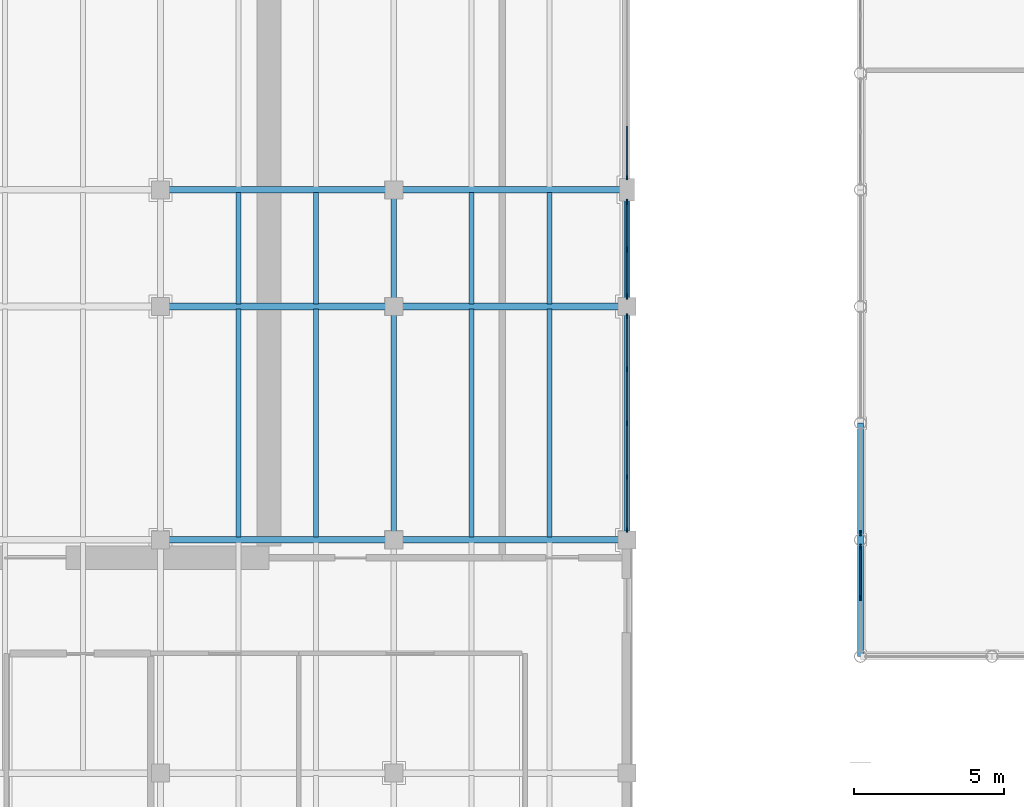
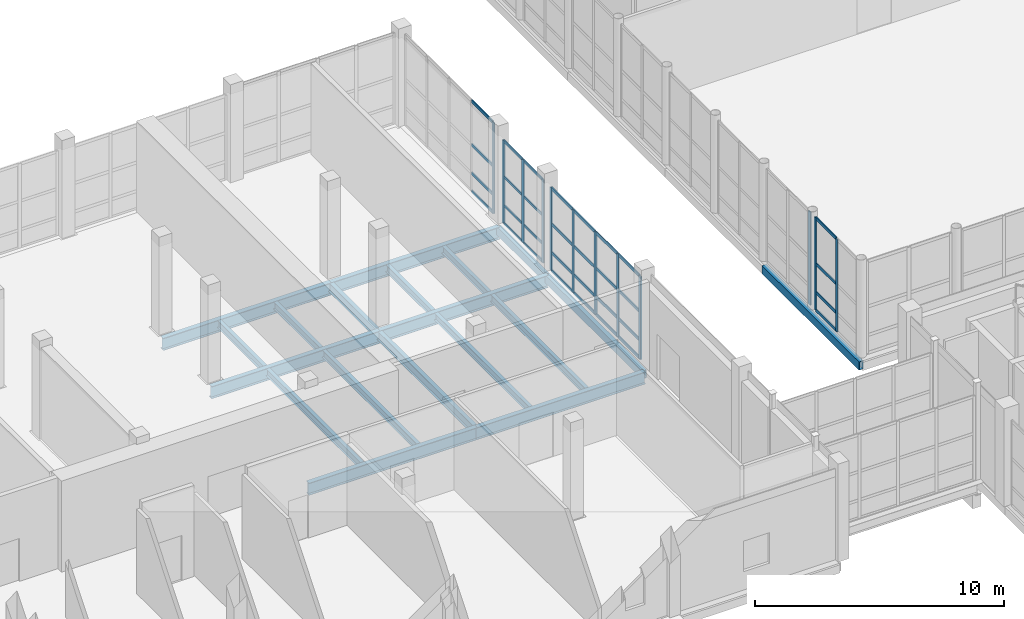
# One storey, part 34 of 131: 44 members, 19 beams, 5 elements without a shape of their own.
"""IFC4 building model written with IfcOpenShell, lengths in metres."""

from ifc_helpers import new_model, si_unit, direction, frame, origin, origin_2d, place, context, subcontext, project, spatial, rectangle, hollow_rectangle, i_section, extrude, material, layer, layer_set, material_profile, profile_set, type_object, element, aggregate, save


model = new_model("IFC4")

# Units and contexts
model_context = context("Model", 3, precision=1e-05, world=origin(), true_north=direction((0.0, 1.0)))
body_context = subcontext(model_context, "Body", "Model", "MODEL_VIEW")
ifc_project = project(units=[si_unit("LENGTHUNIT", "METRE"), si_unit("AREAUNIT", "SQUARE_METRE"), si_unit("VOLUMEUNIT", "CUBIC_METRE"), si_unit("PLANEANGLEUNIT", "RADIAN"), si_unit("MASSUNIT", "GRAM", prefix="KILO")], contexts=[model_context])

# Site, building, storey
site_placement = place(None, origin())
site = spatial("IfcSite", under=ifc_project, at=site_placement, CompositionType="ELEMENT")
building_placement = place(site_placement, origin())
building = spatial("IfcBuilding", under=site, at=building_placement, Name="Celorna Specialist Clinic", CompositionType="ELEMENT")
storey_placement = place(building_placement, origin())
storey = spatial("IfcBuildingStorey", under=building, at=storey_placement, Name="L00", CompositionType="ELEMENT", Elevation=0.0)

# Beams
ifc_material_1 = material(Name="Steel S355", Category="steel")
ifc_material_profile_1 = material_profile(ifc_material_1, i_section(OverallWidth=0.219970703125, OverallDepth=0.60009765625, WebThickness=0.011962890625, FlangeThickness=0.01904296875, at=origin_2d()), Name="IPE 600")
ifc_profile_set_1 = profile_set([ifc_material_profile_1], Name="Steel S355")
beam_type_1 = type_object("IfcBeamType", Name="BM-06", PredefinedType="BEAM", material=ifc_profile_set_1)
for number, where, z_axis, x_axis, name in (
    (1, (31.199951171875, 50.699951171875, -0.679931640625), (1.0, 0.0, 0.0), (0.0, 1.0, 0.0), "Primary girder BM-06 #246"),
    (2, (39.0, 50.699951171875, -0.679931640625), (1.0, 0.0, 0.0), (0.0, 1.0, 0.0), "Primary girder BM-06 #247"),
    (3, (31.199951171875, 58.5, -0.679931640625), (1.0, 0.0, 0.0), (0.0, 1.0, 0.0), "Primary girder BM-06 #252"),
    (4, (39.0, 58.5, -0.679931640625), (1.0, 0.0, 0.0), (0.0, 1.0, 0.0), "Primary girder BM-06 #253"),
    (5, (31.199951171875, 62.39990234375, -0.679931640625), (1.0, 0.0, 0.0), (0.0, 1.0, 0.0), "Primary girder BM-06 #258"),
    (6, (39.0, 62.39990234375, -0.679931640625), (1.0, 0.0, 0.0), (0.0, 1.0, 0.0), "Primary girder BM-06 #259"),
):
    element("IfcBeam", number, at=place(storey_placement, frame(where, z_axis=z_axis, x_axis=x_axis)), inside=storey, type_object=beam_type_1, Name=name, PredefinedType="BEAM", context=body_context, shape_type="SweptSolid", body=[
        extrude(i_section(OverallWidth=0.219970703125, OverallDepth=0.60009765625, WebThickness=0.011962890625, FlangeThickness=0.01904296875, at=origin_2d()), origin(), (0.0, 0.0, 1.0), 7.800048828125),
    ])
ifc_material_profile_2 = material_profile(ifc_material_1, i_section(OverallWidth=0.18994140625, OverallDepth=0.449951171875, WebThickness=0.009521484375, FlangeThickness=0.0146484375, at=origin_2d()), Name="IPE 450")
ifc_profile_set_2 = profile_set([ifc_material_profile_2], Name="Steel S355")
beam_type_2 = type_object("IfcBeamType", Name="BM-09", PredefinedType="BEAM", material=ifc_profile_set_2)
beam_1_placement = place(storey_placement, frame((39.0, 50.699951171875, -0.60498046875), z_axis=(0.0, 1.0, 0.0), x_axis=(-1.0, 0.0, 0.0)))
element("IfcBeam", 7, at=beam_1_placement, inside=storey, type_object=beam_type_2, Name="Transverse girder BM-09 #293", PredefinedType="BEAM", context=body_context, shape_type="SweptSolid", body=[
    extrude(i_section(OverallWidth=0.18994140625, OverallDepth=0.449951171875, WebThickness=0.009521484375, FlangeThickness=0.0146484375, at=origin_2d()), origin(), (0.0, 0.0, 1.0), 7.800048828125),
])
beam_2_placement = place(storey_placement, frame((39.0, 58.5, -0.60498046875), z_axis=(0.0, 1.0, 0.0), x_axis=(-1.0, 0.0, 0.0)))
element("IfcBeam", 8, at=beam_2_placement, inside=storey, type_object=beam_type_2, Name="Transverse girder BM-09 #294", PredefinedType="BEAM", context=body_context, shape_type="SweptSolid", body=[
    extrude(i_section(OverallWidth=0.18994140625, OverallDepth=0.449951171875, WebThickness=0.009521484375, FlangeThickness=0.0146484375, at=origin_2d()), origin(), (0.0, 0.0, 1.0), 3.89990234375),
])
ifc_material_profile_3 = material_profile(ifc_material_1, i_section(OverallWidth=0.169921875, OverallDepth=0.360107421875, WebThickness=0.008056640625, FlangeThickness=0.0126953125, at=origin_2d()), Name="IPE 360")
ifc_profile_set_3 = profile_set([ifc_material_profile_3], Name="Steel S355")
beam_type_3 = type_object("IfcBeamType", Name="BM-11", PredefinedType="JOIST", material=ifc_profile_set_3)
for number, where, z_axis, x_axis, name in (
    (9, (33.800048828125, 50.7880859375, -0.56005859375), (0.0, 1.0, 0.0), (-1.0, 0.0, 0.0), "Secondary floor joist BM-11 #341"),
    (10, (36.39990234375, 50.7880859375, -0.56005859375), (0.0, 1.0, 0.0), (-1.0, 0.0, 0.0), "Secondary floor joist BM-11 #342"),
):
    element("IfcBeam", number, at=place(storey_placement, frame(where, z_axis=z_axis, x_axis=x_axis)), inside=storey, type_object=beam_type_3, Name=name, PredefinedType="JOIST", context=body_context, shape_type="SweptSolid", body=[
        extrude(i_section(OverallWidth=0.169921875, OverallDepth=0.360107421875, WebThickness=0.008056640625, FlangeThickness=0.0126953125, at=origin_2d()), origin(), (0.0, 0.0, 1.0), 7.6240234375),
    ])
for number, where, z_axis, x_axis, name in (
    (11, (33.800048828125, 58.587890625, -0.56005859375), (0.0, 1.0, 0.0), (-1.0, 0.0, 0.0), "Secondary floor joist BM-11 #343"),
    (12, (36.39990234375, 58.587890625, -0.56005859375), (0.0, 1.0, 0.0), (-1.0, 0.0, 0.0), "Secondary floor joist BM-11 #344"),
):
    element("IfcBeam", number, at=place(storey_placement, frame(where, z_axis=z_axis, x_axis=x_axis)), inside=storey, type_object=beam_type_3, Name=name, PredefinedType="JOIST", context=body_context, shape_type="SweptSolid", body=[
        extrude(i_section(OverallWidth=0.169921875, OverallDepth=0.360107421875, WebThickness=0.008056640625, FlangeThickness=0.0126953125, at=origin_2d()), origin(), (0.0, 0.0, 1.0), 3.72412109375),
    ])
for number, where, z_axis, x_axis, name in (
    (13, (41.60009765625, 50.7880859375, -0.56005859375), (0.0, 1.0, 0.0), (-1.0, 0.0, 0.0), "Secondary floor joist BM-11 #351"),
    (14, (44.199951171875, 50.7880859375, -0.56005859375), (0.0, 1.0, 0.0), (-1.0, 0.0, 0.0), "Secondary floor joist BM-11 #352"),
):
    element("IfcBeam", number, at=place(storey_placement, frame(where, z_axis=z_axis, x_axis=x_axis)), inside=storey, type_object=beam_type_3, Name=name, PredefinedType="JOIST", context=body_context, shape_type="SweptSolid", body=[
        extrude(i_section(OverallWidth=0.169921875, OverallDepth=0.360107421875, WebThickness=0.008056640625, FlangeThickness=0.0126953125, at=origin_2d()), origin(), (0.0, 0.0, 1.0), 7.6240234375),
    ])
for number, where, z_axis, x_axis, name in (
    (15, (41.60009765625, 58.587890625, -0.56005859375), (0.0, 1.0, 0.0), (-1.0, 0.0, 0.0), "Secondary floor joist BM-11 #353"),
    (16, (44.199951171875, 58.587890625, -0.56005859375), (0.0, 1.0, 0.0), (-1.0, 0.0, 0.0), "Secondary floor joist BM-11 #354"),
):
    element("IfcBeam", number, at=place(storey_placement, frame(where, z_axis=z_axis, x_axis=x_axis)), inside=storey, type_object=beam_type_3, Name=name, PredefinedType="JOIST", context=body_context, shape_type="SweptSolid", body=[
        extrude(i_section(OverallWidth=0.169921875, OverallDepth=0.360107421875, WebThickness=0.008056640625, FlangeThickness=0.0126953125, at=origin_2d()), origin(), (0.0, 0.0, 1.0), 3.72412109375),
    ])
ifc_material_profile_4 = material_profile(ifc_material_1, hollow_rectangle(XDim=0.199951171875, YDim=0.39990234375, WallThickness=0.011962890625, at=origin_2d()), Name="RHS 200x400x12")
ifc_profile_set_4 = profile_set([ifc_material_profile_4], Name="Steel S355")
beam_type_4 = type_object("IfcBeamType", Name="BM-15", PredefinedType="SPANDREL", material=ifc_profile_set_4)
for number, where, z_axis, x_axis, name in (
    (17, (54.60009765625, 46.800048828125, -0.5), (0.0, 1.0, 0.0), (-1.0, 0.0, 0.0), "Spandrel beam BM-15 #161"),
    (18, (46.800048828125, 50.699951171875, -0.580078125), (0.0, 1.0, 0.0), (-1.0, 0.0, 0.0), "Spandrel beam BM-15 #298"),
):
    element("IfcBeam", number, at=place(storey_placement, frame(where, z_axis=z_axis, x_axis=x_axis)), inside=storey, type_object=beam_type_4, Name=name, PredefinedType="SPANDREL", context=body_context, shape_type="SweptSolid", body=[
        extrude(hollow_rectangle(XDim=0.199951171875, YDim=0.39990234375, WallThickness=0.011962890625, at=origin_2d()), origin(), (0.0, 0.0, 1.0), 7.800048828125),
    ])
beam_3_placement = place(storey_placement, frame((46.800048828125, 58.5, -0.580078125), z_axis=(0.0, 1.0, 0.0), x_axis=(-1.0, 0.0, 0.0)))
element("IfcBeam", 19, at=beam_3_placement, inside=storey, type_object=beam_type_4, Name="Spandrel beam BM-15 #299", PredefinedType="SPANDREL", context=body_context, shape_type="SweptSolid", body=[
    extrude(hollow_rectangle(XDim=0.199951171875, YDim=0.39990234375, WallThickness=0.011962890625, at=origin_2d()), origin(), (0.0, 0.0, 1.0), 3.89990234375),
])

# Curtain wall, members
ifc_material_2 = material(Name="Thermally broken aluminium and solar-control glass curtain wall", Category="aluminium")
ifc_layer_1 = layer(ifc_material_2, 0.159912109375, Name="Thermally broken aluminium and solar-control glass curtain wall")
ifc_layer_set_1 = layer_set([ifc_layer_1], Name="Thermally broken aluminium and solar-control glass curtain wall")
curtain_wall_type_1 = type_object("IfcCurtainWallType", Name="CW-19", PredefinedType="NOTDEFINED", material=ifc_layer_set_1)
curtain_wall_1_placement = place(storey_placement, origin())
curtain_wall_1 = element("IfcCurtainWall", 20, at=curtain_wall_1_placement, inside=storey, type_object=curtain_wall_type_1, Name="Curtain wall CW-19 #47", PredefinedType="NOTDEFINED")
ifc_material_3 = material(Name="Anodized aluminium mullion", Category="aluminium")
ifc_material_profile_5 = material_profile(ifc_material_3, rectangle(XDim=0.050048828125, YDim=0.159912109375, at=origin_2d()), Name="ALU MULLION 50x160")
ifc_profile_set_5 = profile_set([ifc_material_profile_5], Name="Anodized aluminium mullion")
member_type_1 = type_object("IfcMemberType", Name="ML-01", PredefinedType="MULLION", material=ifc_profile_set_5)
member_1_placement = place(storey_placement, frame((46.800048828125, 58.1708984375, 0.0), z_axis=(0.0, 0.0, 1.0), x_axis=(1.0, 0.0, 0.0)))
member_1 = element("IfcMember", 21, at=member_1_placement, type_object=member_type_1, Name="CW-19 mullion 1", PredefinedType="MULLION", context=body_context, shape_type="SweptSolid", body=[
    extrude(rectangle(XDim=0.050048828125, YDim=0.159912109375, at=origin_2d()), origin(), (0.0, 0.0, 1.0), 4.06005859375),
])
member_2_placement = place(storey_placement, frame((46.800048828125, 56.39794921875, 0.0), z_axis=(0.0, 0.0, 1.0), x_axis=(1.0, 0.0, 0.0)))
member_2 = element("IfcMember", 22, at=member_2_placement, type_object=member_type_1, Name="CW-19 mullion 2", PredefinedType="MULLION", context=body_context, shape_type="SweptSolid", body=[
    extrude(rectangle(XDim=0.050048828125, YDim=0.159912109375, at=origin_2d()), origin(), (0.0, 0.0, 1.0), 4.06005859375),
])
member_3_placement = place(storey_placement, frame((46.800048828125, 54.60009765625, 0.0), z_axis=(0.0, 0.0, 1.0), x_axis=(1.0, 0.0, 0.0)))
member_3 = element("IfcMember", 23, at=member_3_placement, type_object=member_type_1, Name="CW-19 mullion 3", PredefinedType="MULLION", context=body_context, shape_type="SweptSolid", body=[
    extrude(rectangle(XDim=0.050048828125, YDim=0.159912109375, at=origin_2d()), origin(), (0.0, 0.0, 1.0), 4.06005859375),
])
member_4_placement = place(storey_placement, frame((46.800048828125, 52.802001953125, 0.0), z_axis=(0.0, 0.0, 1.0), x_axis=(1.0, 0.0, 0.0)))
member_4 = element("IfcMember", 24, at=member_4_placement, type_object=member_type_1, Name="CW-19 mullion 4", PredefinedType="MULLION", context=body_context, shape_type="SweptSolid", body=[
    extrude(rectangle(XDim=0.050048828125, YDim=0.159912109375, at=origin_2d()), origin(), (0.0, 0.0, 1.0), 4.06005859375),
])
member_5_placement = place(storey_placement, frame((46.800048828125, 51.029052734375, 0.0), z_axis=(0.0, 0.0, 1.0), x_axis=(1.0, 0.0, 0.0)))
member_5 = element("IfcMember", 25, at=member_5_placement, type_object=member_type_1, Name="CW-19 mullion 5", PredefinedType="MULLION", context=body_context, shape_type="SweptSolid", body=[
    extrude(rectangle(XDim=0.050048828125, YDim=0.159912109375, at=origin_2d()), origin(), (0.0, 0.0, 1.0), 4.06005859375),
])

ifc_layer_2 = layer(ifc_material_2, 0.159912109375, Name="Thermally broken aluminium and solar-control glass curtain wall")
ifc_layer_set_2 = layer_set([ifc_layer_2], Name="Thermally broken aluminium and solar-control glass curtain wall")
curtain_wall_type_2 = type_object("IfcCurtainWallType", Name="CW-04", PredefinedType="NOTDEFINED", material=ifc_layer_set_2)
curtain_wall_2_placement = place(storey_placement, origin())
curtain_wall_2 = element("IfcCurtainWall", 26, at=curtain_wall_2_placement, inside=storey, type_object=curtain_wall_type_2, Name="Curtain wall CW-04 #10", PredefinedType="NOTDEFINED")
ifc_material_profile_6 = material_profile(ifc_material_3, rectangle(XDim=0.050048828125, YDim=0.179931640625, at=origin_2d()), Name="ALU MULLION 50x180")
ifc_profile_set_6 = profile_set([ifc_material_profile_6], Name="Anodized aluminium mullion")
member_type_2 = type_object("IfcMemberType", Name="ML-02", PredefinedType="MULLION", material=ifc_profile_set_6)
member_6_placement = place(storey_placement, frame((54.60009765625, 48.75, 0.0), z_axis=(0.0, 0.0, 1.0), x_axis=(-1.0, 0.0, 0.0)))
member_6 = element("IfcMember", 27, at=member_6_placement, type_object=member_type_2, Name="CW-04 mullion 2", PredefinedType="MULLION", context=body_context, shape_type="SweptSolid", body=[
    extrude(rectangle(XDim=0.050048828125, YDim=0.179931640625, at=origin_2d()), origin(), (0.0, 0.0, 1.0), 4.5400390625),
])
member_7_placement = place(storey_placement, frame((54.60009765625, 50.4677734375, 0.0), z_axis=(0.0, 0.0, 1.0), x_axis=(-1.0, 0.0, 0.0)))
member_7 = element("IfcMember", 28, at=member_7_placement, type_object=member_type_2, Name="CW-04 mullion 3", PredefinedType="MULLION", context=body_context, shape_type="SweptSolid", body=[
    extrude(rectangle(XDim=0.050048828125, YDim=0.179931640625, at=origin_2d()), origin(), (0.0, 0.0, 1.0), 4.5400390625),
])

# Curtain wall, member
curtain_wall_3_placement = place(storey_placement, origin())
curtain_wall_3 = element("IfcCurtainWall", 29, at=curtain_wall_3_placement, inside=storey, type_object=curtain_wall_type_2, Name="Curtain wall CW-04 #11", PredefinedType="NOTDEFINED")
member_8_placement = place(storey_placement, frame((54.60009765625, 50.93212890625, 0.0), z_axis=(0.0, 0.0, 1.0), x_axis=(-1.0, 0.0, 0.0)))
member_8 = element("IfcMember", 30, at=member_8_placement, type_object=member_type_2, Name="CW-04 mullion 1", PredefinedType="MULLION", context=body_context, shape_type="SweptSolid", body=[
    extrude(rectangle(XDim=0.050048828125, YDim=0.179931640625, at=origin_2d()), origin(), (0.0, 0.0, 1.0), 4.5400390625),
])
aggregate(curtain_wall_3, [member_8])

# Curtain wall, members
ifc_layer_3 = layer(ifc_material_2, 0.159912109375, Name="Thermally broken aluminium and solar-control glass curtain wall")
ifc_layer_set_3 = layer_set([ifc_layer_3], Name="Thermally broken aluminium and solar-control glass curtain wall")
curtain_wall_type_3 = type_object("IfcCurtainWallType", Name="CW-20", PredefinedType="NOTDEFINED", material=ifc_layer_set_3)
curtain_wall_4_placement = place(storey_placement, origin())
curtain_wall_4 = element("IfcCurtainWall", 31, at=curtain_wall_4_placement, inside=storey, type_object=curtain_wall_type_3, Name="Curtain wall CW-20 #48", PredefinedType="NOTDEFINED")
member_9_placement = place(storey_placement, frame((46.800048828125, 61.99609375, 0.0), z_axis=(0.0, 0.0, 1.0), x_axis=(1.0, 0.0, 0.0)))
member_9 = element("IfcMember", 32, at=member_9_placement, type_object=member_type_2, Name="CW-20 mullion 1", PredefinedType="MULLION", context=body_context, shape_type="SweptSolid", body=[
    extrude(rectangle(XDim=0.050048828125, YDim=0.179931640625, at=origin_2d()), origin(), (0.0, 0.0, 1.0), 4.06005859375),
])
member_10_placement = place(storey_placement, frame((46.800048828125, 60.41259765625, 0.0), z_axis=(0.0, 0.0, 1.0), x_axis=(1.0, 0.0, 0.0)))
member_10 = element("IfcMember", 33, at=member_10_placement, type_object=member_type_2, Name="CW-20 mullion 2", PredefinedType="MULLION", context=body_context, shape_type="SweptSolid", body=[
    extrude(rectangle(XDim=0.050048828125, YDim=0.179931640625, at=origin_2d()), origin(), (0.0, 0.0, 1.0), 4.06005859375),
])
member_11_placement = place(storey_placement, frame((46.800048828125, 58.8291015625, 0.0), z_axis=(0.0, 0.0, 1.0), x_axis=(1.0, 0.0, 0.0)))
member_11 = element("IfcMember", 34, at=member_11_placement, type_object=member_type_2, Name="CW-20 mullion 3", PredefinedType="MULLION", context=body_context, shape_type="SweptSolid", body=[
    extrude(rectangle(XDim=0.050048828125, YDim=0.179931640625, at=origin_2d()), origin(), (0.0, 0.0, 1.0), 4.06005859375),
])

# Curtain wall, member
ifc_layer_4 = layer(ifc_material_2, 0.159912109375, Name="Thermally broken aluminium and solar-control glass curtain wall")
ifc_layer_set_4 = layer_set([ifc_layer_4], Name="Thermally broken aluminium and solar-control glass curtain wall")
curtain_wall_type_4 = type_object("IfcCurtainWallType", Name="CW-21", PredefinedType="NOTDEFINED", material=ifc_layer_set_4)
curtain_wall_5_placement = place(storey_placement, origin())
curtain_wall_5 = element("IfcCurtainWall", 35, at=curtain_wall_5_placement, inside=storey, type_object=curtain_wall_type_4, Name="Curtain wall CW-21 #49", PredefinedType="NOTDEFINED")
ifc_material_profile_7 = material_profile(ifc_material_3, rectangle(XDim=0.050048828125, YDim=0.139892578125, at=origin_2d()), Name="ALU MULLION 50x140")
ifc_profile_set_7 = profile_set([ifc_material_profile_7], Name="Anodized aluminium mullion")
member_type_3 = type_object("IfcMemberType", Name="ML-03", PredefinedType="MULLION", material=ifc_profile_set_7)
member_12_placement = place(storey_placement, frame((46.800048828125, 62.803955078125, 0.0), z_axis=(0.0, 0.0, 1.0), x_axis=(1.0, 0.0, 0.0)))
member_12 = element("IfcMember", 36, at=member_12_placement, type_object=member_type_3, Name="CW-21 mullion 5", PredefinedType="MULLION", context=body_context, shape_type="SweptSolid", body=[
    extrude(rectangle(XDim=0.050048828125, YDim=0.139892578125, at=origin_2d()), origin(), (0.0, 0.0, 1.0), 4.4599609375),
])

# Member
ifc_material_4 = material(Name="Anodized aluminium transom", Category="aluminium")
ifc_material_profile_8 = material_profile(ifc_material_4, rectangle(XDim=0.050048828125, YDim=0.1298828125, at=origin_2d()), Name="ALU TRANSOM 50x130")
ifc_profile_set_8 = profile_set([ifc_material_profile_8], Name="Anodized aluminium transom")
member_type_4 = type_object("IfcMemberType", Name="TR-01", PredefinedType="USERDEFINED", material=ifc_profile_set_8)
member_13_placement = place(storey_placement, frame((46.800048828125, 61.970947265625, 0.02490234375), z_axis=(0.0, -1.0, 0.0), x_axis=(1.0, 0.0, 0.0)))
member_13 = element("IfcMember", 37, at=member_13_placement, type_object=member_type_4, Name="CW-20 transom 1.1", ObjectType="TRANSOM", PredefinedType="USERDEFINED", context=body_context, shape_type="SweptSolid", body=[
    extrude(rectangle(XDim=0.050048828125, YDim=0.1298828125, at=origin_2d()), origin(), (0.0, 0.0, 1.0), 1.533447265625),
])

member_14_placement = place(storey_placement, frame((46.800048828125, 61.970947265625, 0.89990234375), z_axis=(0.0, -1.0, 0.0), x_axis=(1.0, 0.0, 0.0)))
member_14 = element("IfcMember", 38, at=member_14_placement, type_object=member_type_4, Name="CW-20 transom 1.2", ObjectType="TRANSOM", PredefinedType="USERDEFINED", context=body_context, shape_type="SweptSolid", body=[
    extrude(rectangle(XDim=0.050048828125, YDim=0.1298828125, at=origin_2d()), origin(), (0.0, 0.0, 1.0), 1.533447265625),
])

member_15_placement = place(storey_placement, frame((46.800048828125, 61.970947265625, 2.300048828125), z_axis=(0.0, -1.0, 0.0), x_axis=(1.0, 0.0, 0.0)))
member_15 = element("IfcMember", 39, at=member_15_placement, type_object=member_type_4, Name="CW-20 transom 1.3", ObjectType="TRANSOM", PredefinedType="USERDEFINED", context=body_context, shape_type="SweptSolid", body=[
    extrude(rectangle(XDim=0.050048828125, YDim=0.1298828125, at=origin_2d()), origin(), (0.0, 0.0, 1.0), 1.533447265625),
])

member_16_placement = place(storey_placement, frame((46.800048828125, 61.970947265625, 4.034912109375), z_axis=(0.0, -1.0, 0.0), x_axis=(1.0, 0.0, 0.0)))
member_16 = element("IfcMember", 40, at=member_16_placement, type_object=member_type_4, Name="CW-20 transom 1.4", ObjectType="TRANSOM", PredefinedType="USERDEFINED", context=body_context, shape_type="SweptSolid", body=[
    extrude(rectangle(XDim=0.050048828125, YDim=0.1298828125, at=origin_2d()), origin(), (0.0, 0.0, 1.0), 1.533447265625),
])

member_17_placement = place(storey_placement, frame((46.800048828125, 60.387451171875, 0.02490234375), z_axis=(0.0, -1.0, 0.0), x_axis=(1.0, 0.0, 0.0)))
member_17 = element("IfcMember", 41, at=member_17_placement, type_object=member_type_4, Name="CW-20 transom 2.1", ObjectType="TRANSOM", PredefinedType="USERDEFINED", context=body_context, shape_type="SweptSolid", body=[
    extrude(rectangle(XDim=0.050048828125, YDim=0.1298828125, at=origin_2d()), origin(), (0.0, 0.0, 1.0), 1.533447265625),
])

member_18_placement = place(storey_placement, frame((46.800048828125, 60.387451171875, 0.89990234375), z_axis=(0.0, -1.0, 0.0), x_axis=(1.0, 0.0, 0.0)))
member_18 = element("IfcMember", 42, at=member_18_placement, type_object=member_type_4, Name="CW-20 transom 2.2", ObjectType="TRANSOM", PredefinedType="USERDEFINED", context=body_context, shape_type="SweptSolid", body=[
    extrude(rectangle(XDim=0.050048828125, YDim=0.1298828125, at=origin_2d()), origin(), (0.0, 0.0, 1.0), 1.533447265625),
])

member_19_placement = place(storey_placement, frame((46.800048828125, 60.387451171875, 2.300048828125), z_axis=(0.0, -1.0, 0.0), x_axis=(1.0, 0.0, 0.0)))
member_19 = element("IfcMember", 43, at=member_19_placement, type_object=member_type_4, Name="CW-20 transom 2.3", ObjectType="TRANSOM", PredefinedType="USERDEFINED", context=body_context, shape_type="SweptSolid", body=[
    extrude(rectangle(XDim=0.050048828125, YDim=0.1298828125, at=origin_2d()), origin(), (0.0, 0.0, 1.0), 1.533447265625),
])

member_20_placement = place(storey_placement, frame((46.800048828125, 60.387451171875, 4.034912109375), z_axis=(0.0, -1.0, 0.0), x_axis=(1.0, 0.0, 0.0)))
member_20 = element("IfcMember", 44, at=member_20_placement, type_object=member_type_4, Name="CW-20 transom 2.4", ObjectType="TRANSOM", PredefinedType="USERDEFINED", context=body_context, shape_type="SweptSolid", body=[
    extrude(rectangle(XDim=0.050048828125, YDim=0.1298828125, at=origin_2d()), origin(), (0.0, 0.0, 1.0), 1.533447265625),
])

aggregate(curtain_wall_4, [member_9, member_10, member_11, member_13, member_14, member_15, member_16, member_17, member_18, member_19, member_20])

ifc_material_profile_9 = material_profile(ifc_material_4, rectangle(XDim=0.050048828125, YDim=0.14990234375, at=origin_2d()), Name="ALU TRANSOM 50x150")
ifc_profile_set_9 = profile_set([ifc_material_profile_9], Name="Anodized aluminium transom")
member_type_5 = type_object("IfcMemberType", Name="TR-02", PredefinedType="USERDEFINED", material=ifc_profile_set_9)
member_21_placement = place(storey_placement, frame((54.60009765625, 48.77490234375, 0.02490234375), z_axis=(0.0, 1.0, 0.0), x_axis=(-1.0, 0.0, 0.0)))
member_21 = element("IfcMember", 45, at=member_21_placement, type_object=member_type_5, Name="CW-04 transom 2.1", ObjectType="TRANSOM", PredefinedType="USERDEFINED", context=body_context, shape_type="SweptSolid", body=[
    extrude(rectangle(XDim=0.050048828125, YDim=0.14990234375, at=origin_2d()), origin(), (0.0, 0.0, 1.0), 1.66796875),
])

member_22_placement = place(storey_placement, frame((54.60009765625, 48.77490234375, 0.89990234375), z_axis=(0.0, 1.0, 0.0), x_axis=(-1.0, 0.0, 0.0)))
member_22 = element("IfcMember", 46, at=member_22_placement, type_object=member_type_5, Name="CW-04 transom 2.2", ObjectType="TRANSOM", PredefinedType="USERDEFINED", context=body_context, shape_type="SweptSolid", body=[
    extrude(rectangle(XDim=0.050048828125, YDim=0.14990234375, at=origin_2d()), origin(), (0.0, 0.0, 1.0), 1.66796875),
])

member_23_placement = place(storey_placement, frame((54.60009765625, 48.77490234375, 2.300048828125), z_axis=(0.0, 1.0, 0.0), x_axis=(-1.0, 0.0, 0.0)))
member_23 = element("IfcMember", 47, at=member_23_placement, type_object=member_type_5, Name="CW-04 transom 2.3", ObjectType="TRANSOM", PredefinedType="USERDEFINED", context=body_context, shape_type="SweptSolid", body=[
    extrude(rectangle(XDim=0.050048828125, YDim=0.14990234375, at=origin_2d()), origin(), (0.0, 0.0, 1.0), 1.66796875),
])

member_24_placement = place(storey_placement, frame((54.60009765625, 48.77490234375, 4.514892578125), z_axis=(0.0, 1.0, 0.0), x_axis=(-1.0, 0.0, 0.0)))
member_24 = element("IfcMember", 48, at=member_24_placement, type_object=member_type_5, Name="CW-04 transom 2.4", ObjectType="TRANSOM", PredefinedType="USERDEFINED", context=body_context, shape_type="SweptSolid", body=[
    extrude(rectangle(XDim=0.050048828125, YDim=0.14990234375, at=origin_2d()), origin(), (0.0, 0.0, 1.0), 1.66796875),
])

aggregate(curtain_wall_2, [member_6, member_7, member_21, member_22, member_23, member_24])

member_25_placement = place(storey_placement, frame((46.800048828125, 58.14599609375, 0.02490234375), z_axis=(0.0, -1.0, 0.0), x_axis=(1.0, 0.0, 0.0)))
member_25 = element("IfcMember", 49, at=member_25_placement, type_object=member_type_5, Name="CW-19 transom 1.1", ObjectType="TRANSOM", PredefinedType="USERDEFINED", context=body_context, shape_type="SweptSolid", body=[
    extrude(rectangle(XDim=0.050048828125, YDim=0.14990234375, at=origin_2d()), origin(), (0.0, 0.0, 1.0), 1.722900390625),
])

member_26_placement = place(storey_placement, frame((46.800048828125, 58.14599609375, 0.89990234375), z_axis=(0.0, -1.0, 0.0), x_axis=(1.0, 0.0, 0.0)))
member_26 = element("IfcMember", 50, at=member_26_placement, type_object=member_type_5, Name="CW-19 transom 1.2", ObjectType="TRANSOM", PredefinedType="USERDEFINED", context=body_context, shape_type="SweptSolid", body=[
    extrude(rectangle(XDim=0.050048828125, YDim=0.14990234375, at=origin_2d()), origin(), (0.0, 0.0, 1.0), 1.722900390625),
])

member_27_placement = place(storey_placement, frame((46.800048828125, 58.14599609375, 2.300048828125), z_axis=(0.0, -1.0, 0.0), x_axis=(1.0, 0.0, 0.0)))
member_27 = element("IfcMember", 51, at=member_27_placement, type_object=member_type_5, Name="CW-19 transom 1.3", ObjectType="TRANSOM", PredefinedType="USERDEFINED", context=body_context, shape_type="SweptSolid", body=[
    extrude(rectangle(XDim=0.050048828125, YDim=0.14990234375, at=origin_2d()), origin(), (0.0, 0.0, 1.0), 1.722900390625),
])

member_28_placement = place(storey_placement, frame((46.800048828125, 58.14599609375, 4.034912109375), z_axis=(0.0, -1.0, 0.0), x_axis=(1.0, 0.0, 0.0)))
member_28 = element("IfcMember", 52, at=member_28_placement, type_object=member_type_5, Name="CW-19 transom 1.4", ObjectType="TRANSOM", PredefinedType="USERDEFINED", context=body_context, shape_type="SweptSolid", body=[
    extrude(rectangle(XDim=0.050048828125, YDim=0.14990234375, at=origin_2d()), origin(), (0.0, 0.0, 1.0), 1.722900390625),
])

member_29_placement = place(storey_placement, frame((46.800048828125, 56.373046875, 0.02490234375), z_axis=(0.0, -1.0, 0.0), x_axis=(1.0, 0.0, 0.0)))
member_29 = element("IfcMember", 53, at=member_29_placement, type_object=member_type_5, Name="CW-19 transom 2.1", ObjectType="TRANSOM", PredefinedType="USERDEFINED", context=body_context, shape_type="SweptSolid", body=[
    extrude(rectangle(XDim=0.050048828125, YDim=0.14990234375, at=origin_2d()), origin(), (0.0, 0.0, 1.0), 1.748046875),
])

member_30_placement = place(storey_placement, frame((46.800048828125, 56.373046875, 0.89990234375), z_axis=(0.0, -1.0, 0.0), x_axis=(1.0, 0.0, 0.0)))
member_30 = element("IfcMember", 54, at=member_30_placement, type_object=member_type_5, Name="CW-19 transom 2.2", ObjectType="TRANSOM", PredefinedType="USERDEFINED", context=body_context, shape_type="SweptSolid", body=[
    extrude(rectangle(XDim=0.050048828125, YDim=0.14990234375, at=origin_2d()), origin(), (0.0, 0.0, 1.0), 1.748046875),
])

member_31_placement = place(storey_placement, frame((46.800048828125, 56.373046875, 2.300048828125), z_axis=(0.0, -1.0, 0.0), x_axis=(1.0, 0.0, 0.0)))
member_31 = element("IfcMember", 55, at=member_31_placement, type_object=member_type_5, Name="CW-19 transom 2.3", ObjectType="TRANSOM", PredefinedType="USERDEFINED", context=body_context, shape_type="SweptSolid", body=[
    extrude(rectangle(XDim=0.050048828125, YDim=0.14990234375, at=origin_2d()), origin(), (0.0, 0.0, 1.0), 1.748046875),
])

member_32_placement = place(storey_placement, frame((46.800048828125, 56.373046875, 4.034912109375), z_axis=(0.0, -1.0, 0.0), x_axis=(1.0, 0.0, 0.0)))
member_32 = element("IfcMember", 56, at=member_32_placement, type_object=member_type_5, Name="CW-19 transom 2.4", ObjectType="TRANSOM", PredefinedType="USERDEFINED", context=body_context, shape_type="SweptSolid", body=[
    extrude(rectangle(XDim=0.050048828125, YDim=0.14990234375, at=origin_2d()), origin(), (0.0, 0.0, 1.0), 1.748046875),
])

member_33_placement = place(storey_placement, frame((46.800048828125, 54.574951171875, 0.02490234375), z_axis=(0.0, -1.0, 0.0), x_axis=(1.0, 0.0, 0.0)))
member_33 = element("IfcMember", 57, at=member_33_placement, type_object=member_type_5, Name="CW-19 transom 3.1", ObjectType="TRANSOM", PredefinedType="USERDEFINED", context=body_context, shape_type="SweptSolid", body=[
    extrude(rectangle(XDim=0.050048828125, YDim=0.14990234375, at=origin_2d()), origin(), (0.0, 0.0, 1.0), 1.748046875),
])

member_34_placement = place(storey_placement, frame((46.800048828125, 54.574951171875, 0.89990234375), z_axis=(0.0, -1.0, 0.0), x_axis=(1.0, 0.0, 0.0)))
member_34 = element("IfcMember", 58, at=member_34_placement, type_object=member_type_5, Name="CW-19 transom 3.2", ObjectType="TRANSOM", PredefinedType="USERDEFINED", context=body_context, shape_type="SweptSolid", body=[
    extrude(rectangle(XDim=0.050048828125, YDim=0.14990234375, at=origin_2d()), origin(), (0.0, 0.0, 1.0), 1.748046875),
])

member_35_placement = place(storey_placement, frame((46.800048828125, 54.574951171875, 2.300048828125), z_axis=(0.0, -1.0, 0.0), x_axis=(1.0, 0.0, 0.0)))
member_35 = element("IfcMember", 59, at=member_35_placement, type_object=member_type_5, Name="CW-19 transom 3.3", ObjectType="TRANSOM", PredefinedType="USERDEFINED", context=body_context, shape_type="SweptSolid", body=[
    extrude(rectangle(XDim=0.050048828125, YDim=0.14990234375, at=origin_2d()), origin(), (0.0, 0.0, 1.0), 1.748046875),
])

member_36_placement = place(storey_placement, frame((46.800048828125, 54.574951171875, 4.034912109375), z_axis=(0.0, -1.0, 0.0), x_axis=(1.0, 0.0, 0.0)))
member_36 = element("IfcMember", 60, at=member_36_placement, type_object=member_type_5, Name="CW-19 transom 3.4", ObjectType="TRANSOM", PredefinedType="USERDEFINED", context=body_context, shape_type="SweptSolid", body=[
    extrude(rectangle(XDim=0.050048828125, YDim=0.14990234375, at=origin_2d()), origin(), (0.0, 0.0, 1.0), 1.748046875),
])

member_37_placement = place(storey_placement, frame((46.800048828125, 52.777099609375, 0.02490234375), z_axis=(0.0, -1.0, 0.0), x_axis=(1.0, 0.0, 0.0)))
member_37 = element("IfcMember", 61, at=member_37_placement, type_object=member_type_5, Name="CW-19 transom 4.1", ObjectType="TRANSOM", PredefinedType="USERDEFINED", context=body_context, shape_type="SweptSolid", body=[
    extrude(rectangle(XDim=0.050048828125, YDim=0.14990234375, at=origin_2d()), origin(), (0.0, 0.0, 1.0), 1.72314453125),
])

member_38_placement = place(storey_placement, frame((46.800048828125, 52.777099609375, 0.89990234375), z_axis=(0.0, -1.0, 0.0), x_axis=(1.0, 0.0, 0.0)))
member_38 = element("IfcMember", 62, at=member_38_placement, type_object=member_type_5, Name="CW-19 transom 4.2", ObjectType="TRANSOM", PredefinedType="USERDEFINED", context=body_context, shape_type="SweptSolid", body=[
    extrude(rectangle(XDim=0.050048828125, YDim=0.14990234375, at=origin_2d()), origin(), (0.0, 0.0, 1.0), 1.72314453125),
])

member_39_placement = place(storey_placement, frame((46.800048828125, 52.777099609375, 2.300048828125), z_axis=(0.0, -1.0, 0.0), x_axis=(1.0, 0.0, 0.0)))
member_39 = element("IfcMember", 63, at=member_39_placement, type_object=member_type_5, Name="CW-19 transom 4.3", ObjectType="TRANSOM", PredefinedType="USERDEFINED", context=body_context, shape_type="SweptSolid", body=[
    extrude(rectangle(XDim=0.050048828125, YDim=0.14990234375, at=origin_2d()), origin(), (0.0, 0.0, 1.0), 1.72314453125),
])

member_40_placement = place(storey_placement, frame((46.800048828125, 52.777099609375, 4.034912109375), z_axis=(0.0, -1.0, 0.0), x_axis=(1.0, 0.0, 0.0)))
member_40 = element("IfcMember", 64, at=member_40_placement, type_object=member_type_5, Name="CW-19 transom 4.4", ObjectType="TRANSOM", PredefinedType="USERDEFINED", context=body_context, shape_type="SweptSolid", body=[
    extrude(rectangle(XDim=0.050048828125, YDim=0.14990234375, at=origin_2d()), origin(), (0.0, 0.0, 1.0), 1.72314453125),
])

aggregate(curtain_wall_1, [member_1, member_2, member_3, member_4, member_5, member_25, member_26, member_27, member_28, member_29, member_30, member_31, member_32, member_33, member_34, member_35, member_36, member_37, member_38, member_39, member_40])

member_41_placement = place(storey_placement, frame((46.800048828125, 64.533203125, 0.02490234375), z_axis=(0.0, -1.0, 0.0), x_axis=(1.0, 0.0, 0.0)))
member_41 = element("IfcMember", 65, at=member_41_placement, type_object=member_type_5, Name="CW-21 transom 4.1", ObjectType="TRANSOM", PredefinedType="USERDEFINED", context=body_context, shape_type="SweptSolid", body=[
    extrude(rectangle(XDim=0.050048828125, YDim=0.14990234375, at=origin_2d()), origin(), (0.0, 0.0, 1.0), 1.7041015625),
])

member_42_placement = place(storey_placement, frame((46.800048828125, 64.533203125, 0.89990234375), z_axis=(0.0, -1.0, 0.0), x_axis=(1.0, 0.0, 0.0)))
member_42 = element("IfcMember", 66, at=member_42_placement, type_object=member_type_5, Name="CW-21 transom 4.2", ObjectType="TRANSOM", PredefinedType="USERDEFINED", context=body_context, shape_type="SweptSolid", body=[
    extrude(rectangle(XDim=0.050048828125, YDim=0.14990234375, at=origin_2d()), origin(), (0.0, 0.0, 1.0), 1.7041015625),
])

member_43_placement = place(storey_placement, frame((46.800048828125, 64.533203125, 2.300048828125), z_axis=(0.0, -1.0, 0.0), x_axis=(1.0, 0.0, 0.0)))
member_43 = element("IfcMember", 67, at=member_43_placement, type_object=member_type_5, Name="CW-21 transom 4.3", ObjectType="TRANSOM", PredefinedType="USERDEFINED", context=body_context, shape_type="SweptSolid", body=[
    extrude(rectangle(XDim=0.050048828125, YDim=0.14990234375, at=origin_2d()), origin(), (0.0, 0.0, 1.0), 1.7041015625),
])

member_44_placement = place(storey_placement, frame((46.800048828125, 64.533203125, 4.43505859375), z_axis=(0.0, -1.0, 0.0), x_axis=(1.0, 0.0, 0.0)))
member_44 = element("IfcMember", 68, at=member_44_placement, type_object=member_type_5, Name="CW-21 transom 4.4", ObjectType="TRANSOM", PredefinedType="USERDEFINED", context=body_context, shape_type="SweptSolid", body=[
    extrude(rectangle(XDim=0.050048828125, YDim=0.14990234375, at=origin_2d()), origin(), (0.0, 0.0, 1.0), 1.7041015625),
])

aggregate(curtain_wall_5, [member_12, member_41, member_42, member_43, member_44])

save(model, "model.ifc")
